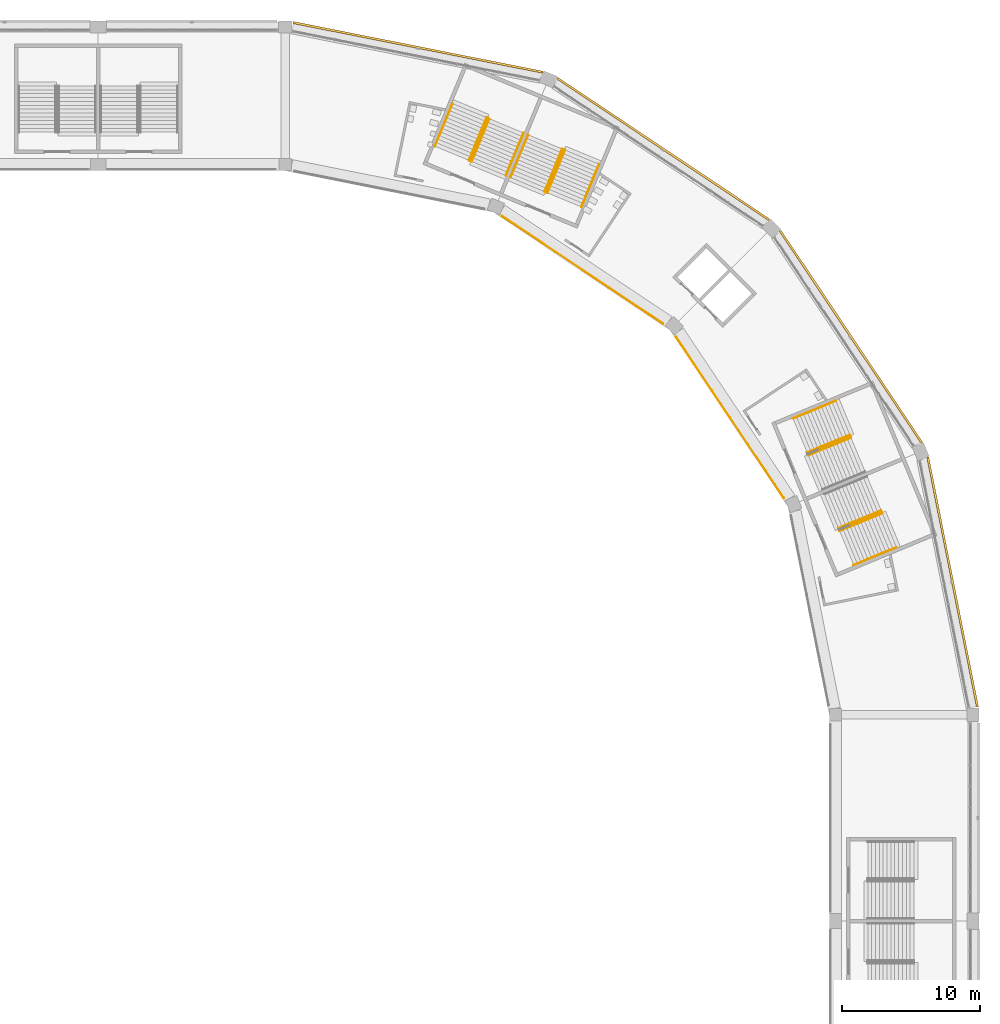
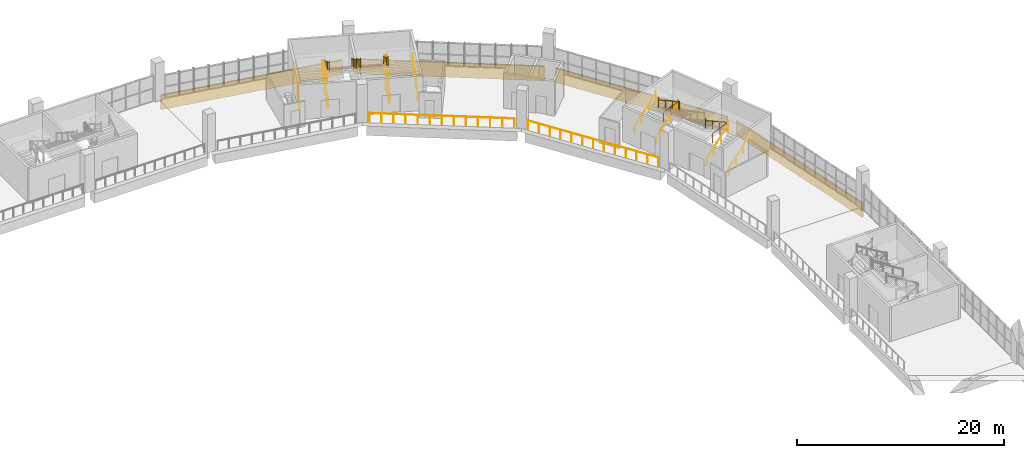
# One storey, part 171 of 177: 22 railings, 4 coverings.
"""IFC4 building model written with IfcOpenShell, lengths in metres."""

from ifc_helpers import new_model, si_unit, direction, frame, origin, origin_2d, place, context, subcontext, project, spatial, polyline, circle, outline, extrude, material, layer, layer_set, type_object, element, save


model = new_model("IFC4")

# Units and contexts
model_context = context("Model", 3, precision=1e-05, world=origin(), true_north=direction((0.0, 1.0)))
body_context = subcontext(model_context, "Body", "Model", "MODEL_VIEW")
ifc_project = project(units=[si_unit("LENGTHUNIT", "METRE"), si_unit("AREAUNIT", "SQUARE_METRE"), si_unit("VOLUMEUNIT", "CUBIC_METRE"), si_unit("PLANEANGLEUNIT", "RADIAN"), si_unit("MASSUNIT", "GRAM", prefix="KILO")], contexts=[model_context])

# Site, building, storey
site_placement = place(None, origin())
site = spatial("IfcSite", under=ifc_project, at=site_placement, CompositionType="ELEMENT")
building_placement = place(site_placement, origin())
building = spatial("IfcBuilding", under=site, at=building_placement, Name="Ogive Plaza Stadium", CompositionType="ELEMENT")
storey_placement = place(building_placement, frame((0.0, 0.0, 18.0)))
storey = spatial("IfcBuildingStorey", under=building, at=storey_placement, Name="L04", CompositionType="ELEMENT", Elevation=18.0)

# Railings
ifc_material_1 = material(Name="Steel ASTM A572 Grade 50", Category="steel")
railing_type_1 = type_object("IfcRailingType", Name="Guard 1100", PredefinedType="GUARDRAIL", material=ifc_material_1)
for number, where, name in (
    (1, (52.955078125, 90.48779296875, 0.0), "Stair well guard ST38A L04"),
    (2, (53.322509765625, 91.374755859375, 2.25), "Stair well guard ST38A L04"),
    (3, (47.4580078125, 92.764892578125, 0.0), "Stair well guard ST38B L04"),
    (4, (47.825439453125, 93.651611328125, 2.25), "Stair well guard ST38B L04"),
):
    element("IfcRailing", number, at=place(storey_placement, frame(where)), inside=storey, type_object=railing_type_1, Name=name, PredefinedType="GUARDRAIL", context=body_context, shape_type="SweptSolid", body=[
        extrude(circle(Radius=0.02392578125, at=origin_2d()), frame((0.0, 0.0, 1.076171875), z_axis=(0.382693194178, 0.923875488976, 0.0), x_axis=(-0.923875488976, 0.382693194178, 0.0)), (0.0, 0.0, 1.0), 2.39990234375),
        extrude(circle(Radius=0.02099609375, at=origin_2d()), origin(), (0.0, 0.0, 1.0), 1.052001953125),
        extrude(circle(Radius=0.02099609375, at=origin_2d()), frame((0.459228515625, 1.108642578125, 0.0)), (0.0, 0.0, 1.0), 1.052001953125),
        extrude(circle(Radius=0.02099609375, at=origin_2d()), frame((0.91845703125, 2.21728515625, 0.0)), (0.0, 0.0, 1.0), 1.052001953125),
    ])
for number, where, name in (
    (5, (75.151611328125, 66.325439453125, 2.25), "Stair well guard ST40A L04"),
    (6, (72.874755859375, 71.822509765625, 2.25), "Stair well guard ST40B L04"),
):
    element("IfcRailing", number, at=place(storey_placement, frame(where)), inside=storey, type_object=railing_type_1, Name=name, PredefinedType="GUARDRAIL", context=body_context, shape_type="SweptSolid", body=[
        extrude(circle(Radius=0.02392578125, at=origin_2d()), frame((0.0, 0.0, 1.076171875), z_axis=(0.923875488976, 0.382693194178, 0.0), x_axis=(-0.382693194178, 0.923875488976, 0.0)), (0.0, 0.0, 1.0), 2.39990234375),
        extrude(circle(Radius=0.02099609375, at=origin_2d()), origin(), (0.0, 0.0, 1.0), 1.052001953125),
        extrude(circle(Radius=0.02099609375, at=origin_2d()), frame((1.108642578125, 0.459228515625, 0.0)), (0.0, 0.0, 1.0), 1.052001953125),
        extrude(circle(Radius=0.02099609375, at=origin_2d()), frame((2.21728515625, 0.91845703125, 0.0)), (0.0, 0.0, 1.0), 1.052001953125),
    ])
railing_1_placement = place(storey_placement, frame((49.75537109375, 88.742919921875, 0.0)))
element("IfcRailing", 7, at=railing_1_placement, inside=storey, type_object=railing_type_1, Name="Guard L04 B38", PredefinedType="GUARDRAIL", context=body_context, shape_type="SweptSolid", body=[
    extrude(circle(Radius=0.02392578125, at=origin_2d()), frame((0.0, 0.0, 1.076171875), z_axis=(0.83147593222, -0.555560774478, 0.0), x_axis=(0.555560774478, 0.83147593222, 0.0)), (0.0, 0.0, 1.0), 14.07080078125),
    extrude(circle(Radius=0.02099609375, at=origin_2d()), origin(), (0.0, 0.0, 1.0), 1.052001953125),
    extrude(circle(Radius=0.02099609375, at=origin_2d()), frame((0.974853515625, -0.6513671875, 0.0)), (0.0, 0.0, 1.0), 1.052001953125),
    extrude(circle(Radius=0.02099609375, at=origin_2d()), frame((1.949951171875, -1.302734375, 0.0)), (0.0, 0.0, 1.0), 1.052001953125),
    extrude(circle(Radius=0.02099609375, at=origin_2d()), frame((2.9248046875, -1.954345703125, 0.0)), (0.0, 0.0, 1.0), 1.052001953125),
    extrude(circle(Radius=0.02099609375, at=origin_2d()), frame((3.89990234375, -2.605712890625, 0.0)), (0.0, 0.0, 1.0), 1.052001953125),
    extrude(circle(Radius=0.02099609375, at=origin_2d()), frame((4.874755859375, -3.257080078125, 0.0)), (0.0, 0.0, 1.0), 1.052001953125),
    extrude(circle(Radius=0.02099609375, at=origin_2d()), frame((5.849609375, -3.90869140625, 0.0)), (0.0, 0.0, 1.0), 1.052001953125),
    extrude(circle(Radius=0.02099609375, at=origin_2d()), frame((6.82470703125, -4.56005859375, 0.0)), (0.0, 0.0, 1.0), 1.052001953125),
    extrude(circle(Radius=0.02099609375, at=origin_2d()), frame((7.799560546875, -5.21142578125, 0.0)), (0.0, 0.0, 1.0), 1.052001953125),
    extrude(circle(Radius=0.02099609375, at=origin_2d()), frame((8.774658203125, -5.86279296875, 0.0)), (0.0, 0.0, 1.0), 1.052001953125),
    extrude(circle(Radius=0.02099609375, at=origin_2d()), frame((9.74951171875, -6.51416015625, 0.0)), (0.0, 0.0, 1.0), 1.052001953125),
    extrude(circle(Radius=0.02099609375, at=origin_2d()), frame((10.724609375, -7.165771484375, 0.0)), (0.0, 0.0, 1.0), 1.052001953125),
    extrude(circle(Radius=0.02099609375, at=origin_2d()), frame((11.699462890625, -7.817138671875, 0.0)), (0.0, 0.0, 1.0), 1.052001953125),
])
railing_2_placement = place(storey_placement, frame((62.42578125, 79.954833984375, 0.0)))
element("IfcRailing", 8, at=railing_2_placement, inside=storey, type_object=railing_type_1, Name="Guard L04 B39", PredefinedType="GUARDRAIL", context=body_context, shape_type="SweptSolid", body=[
    extrude(circle(Radius=0.02392578125, at=origin_2d()), frame((0.0, 0.0, 1.076171875), z_axis=(0.555560774478, -0.83147593222, 0.0), x_axis=(0.83147593222, 0.555560774478, 0.0)), (0.0, 0.0, 1.0), 14.07080078125),
    extrude(circle(Radius=0.02099609375, at=origin_2d()), origin(), (0.0, 0.0, 1.0), 1.052001953125),
    extrude(circle(Radius=0.02099609375, at=origin_2d()), frame((0.6513671875, -0.974853515625, 0.0)), (0.0, 0.0, 1.0), 1.052001953125),
    extrude(circle(Radius=0.02099609375, at=origin_2d()), frame((1.302734375, -1.949951171875, 0.0)), (0.0, 0.0, 1.0), 1.052001953125),
    extrude(circle(Radius=0.02099609375, at=origin_2d()), frame((1.954345703125, -2.9248046875, 0.0)), (0.0, 0.0, 1.0), 1.052001953125),
    extrude(circle(Radius=0.02099609375, at=origin_2d()), frame((2.605712890625, -3.89990234375, 0.0)), (0.0, 0.0, 1.0), 1.052001953125),
    extrude(circle(Radius=0.02099609375, at=origin_2d()), frame((3.257080078125, -4.874755859375, 0.0)), (0.0, 0.0, 1.0), 1.052001953125),
    extrude(circle(Radius=0.02099609375, at=origin_2d()), frame((3.90869140625, -5.849609375, 0.0)), (0.0, 0.0, 1.0), 1.052001953125),
    extrude(circle(Radius=0.02099609375, at=origin_2d()), frame((4.56005859375, -6.82470703125, 0.0)), (0.0, 0.0, 1.0), 1.052001953125),
    extrude(circle(Radius=0.02099609375, at=origin_2d()), frame((5.21142578125, -7.799560546875, 0.0)), (0.0, 0.0, 1.0), 1.052001953125),
    extrude(circle(Radius=0.02099609375, at=origin_2d()), frame((5.86279296875, -8.774658203125, 0.0)), (0.0, 0.0, 1.0), 1.052001953125),
    extrude(circle(Radius=0.02099609375, at=origin_2d()), frame((6.51416015625, -9.74951171875, 0.0)), (0.0, 0.0, 1.0), 1.052001953125),
    extrude(circle(Radius=0.02099609375, at=origin_2d()), frame((7.165771484375, -10.724609375, 0.0)), (0.0, 0.0, 1.0), 1.052001953125),
    extrude(circle(Radius=0.02099609375, at=origin_2d()), frame((7.817138671875, -11.699462890625, 0.0)), (0.0, 0.0, 1.0), 1.052001953125),
])
ifc_material_2 = material(Name="Steel ASTM A572 Grade 50", Category="steel")
railing_type_2 = type_object("IfcRailingType", Name="Handrail 900", PredefinedType="HANDRAIL", material=ifc_material_2)
railing_3_placement = place(storey_placement, frame((55.53271484375, 89.420166015625, 0.173095703125)))
element("IfcRailing", 9, at=railing_3_placement, inside=storey, type_object=railing_type_2, Name="Handrail ST38A L04", PredefinedType="HANDRAIL", context=body_context, shape_type="SweptSolid", body=[
    extrude(circle(Radius=0.02392578125, at=origin_2d()), frame((0.0, 0.0, 0.8759765625), z_axis=(0.32553207776, 0.785862990074, 0.525783441334), x_axis=(-0.923872479269, 0.382700459954, 0.0)), (0.0, 0.0, 1.0), 3.9501953125),
    extrude(circle(Radius=0.02099609375, at=origin_2d()), origin(), (0.0, 0.0, 1.0), 0.851806640625),
    extrude(circle(Radius=0.02099609375, at=origin_2d()), frame((0.4287109375, 1.03466796875, 0.6923828125)), (0.0, 0.0, 1.0), 0.851806640625),
    extrude(circle(Radius=0.02099609375, at=origin_2d()), frame((0.857177734375, 2.069580078125, 1.384521484375)), (0.0, 0.0, 1.0), 0.851806640625),
    extrude(circle(Radius=0.02099609375, at=origin_2d()), frame((1.285888671875, 3.104248046875, 2.076904296875)), (0.0, 0.0, 1.0), 1.10009765625),
])
railing_4_placement = place(storey_placement, frame((53.056884765625, 90.44580078125, 0.173095703125)))
element("IfcRailing", 10, at=railing_4_placement, inside=storey, type_object=railing_type_2, Name="Handrail ST38A L04", PredefinedType="HANDRAIL", context=body_context, shape_type="SweptSolid", body=[
    extrude(circle(Radius=0.02392578125, at=origin_2d()), frame((0.0, 0.0, 0.8759765625), z_axis=(0.325476819766, 0.785878800478, 0.525794019321), x_axis=(-0.923898168054, 0.382638439086, 0.0)), (0.0, 0.0, 1.0), 3.949951171875),
    extrude(circle(Radius=0.02099609375, at=origin_2d()), origin(), (0.0, 0.0, 1.0), 0.851806640625),
    extrude(circle(Radius=0.02099609375, at=origin_2d()), frame((0.428466796875, 1.03466796875, 0.6923828125)), (0.0, 0.0, 1.0), 0.851806640625),
    extrude(circle(Radius=0.02099609375, at=origin_2d()), frame((0.857177734375, 2.069580078125, 1.384521484375)), (0.0, 0.0, 1.0), 0.851806640625),
    extrude(circle(Radius=0.02099609375, at=origin_2d()), frame((1.28564453125, 3.104248046875, 2.076904296875)), (0.0, 0.0, 1.0), 1.10009765625),
])
railing_5_placement = place(storey_placement, frame((54.139404296875, 93.634033203125, 2.423095703125)))
element("IfcRailing", 11, at=railing_5_placement, inside=storey, type_object=railing_type_2, Name="Handrail ST38A L04", PredefinedType="HANDRAIL", context=body_context, shape_type="SweptSolid", body=[
    extrude(circle(Radius=0.02392578125, at=origin_2d()), frame((0.0, 0.0, 0.8759765625), z_axis=(-0.325547889718, -0.78583935255, 0.525808980033), x_axis=(0.923861836433, -0.382726151683, 0.0)), (0.0, 0.0, 1.0), 3.949951171875),
    extrude(circle(Radius=0.02099609375, at=origin_2d()), origin(), (0.0, 0.0, 1.0), 0.851806640625),
    extrude(circle(Radius=0.02099609375, at=origin_2d()), frame((-0.4287109375, -1.03466796875, 0.6923828125)), (0.0, 0.0, 1.0), 0.851806640625),
    extrude(circle(Radius=0.02099609375, at=origin_2d()), frame((-0.857177734375, -2.0693359375, 1.384521484375)), (0.0, 0.0, 1.0), 0.851806640625),
    extrude(circle(Radius=0.02099609375, at=origin_2d()), frame((-1.285888671875, -3.10400390625, 2.076904296875)), (0.0, 0.0, 1.0), 1.10009765625),
])
railing_6_placement = place(storey_placement, frame((51.663330078125, 94.65966796875, 2.423095703125)))
element("IfcRailing", 12, at=railing_6_placement, inside=storey, type_object=railing_type_2, Name="Handrail ST38A L04", PredefinedType="HANDRAIL", context=body_context, shape_type="SweptSolid", body=[
    extrude(circle(Radius=0.02392578125, at=origin_2d()), frame((0.0, 0.0, 0.8759765625), z_axis=(-0.32553207776, -0.785862990074, 0.525783441334), x_axis=(0.923872479269, -0.382700459954, 0.0)), (0.0, 0.0, 1.0), 3.9501953125),
    extrude(circle(Radius=0.02099609375, at=origin_2d()), origin(), (0.0, 0.0, 1.0), 0.851806640625),
    extrude(circle(Radius=0.02099609375, at=origin_2d()), frame((-0.4287109375, -1.03466796875, 0.6923828125)), (0.0, 0.0, 1.0), 0.851806640625),
    extrude(circle(Radius=0.02099609375, at=origin_2d()), frame((-0.857177734375, -2.069580078125, 1.384521484375)), (0.0, 0.0, 1.0), 0.851806640625),
    extrude(circle(Radius=0.02099609375, at=origin_2d()), frame((-1.285888671875, -3.104248046875, 2.076904296875)), (0.0, 0.0, 1.0), 1.10009765625),
])
for number, where, name in (
    (13, (47.3564453125, 92.806884765625, 0.173095703125), "Handrail ST38B L04"),
    (14, (44.88037109375, 93.83251953125, 0.173095703125), "Handrail ST38B L04"),
):
    element("IfcRailing", number, at=place(storey_placement, frame(where)), inside=storey, type_object=railing_type_2, Name=name, PredefinedType="HANDRAIL", context=body_context, shape_type="SweptSolid", body=[
        extrude(circle(Radius=0.02392578125, at=origin_2d()), frame((0.0, 0.0, 0.8759765625), z_axis=(0.32553207776, 0.785862990074, 0.525783441334), x_axis=(-0.923872479269, 0.382700459954, 0.0)), (0.0, 0.0, 1.0), 3.9501953125),
        extrude(circle(Radius=0.02099609375, at=origin_2d()), origin(), (0.0, 0.0, 1.0), 0.851806640625),
        extrude(circle(Radius=0.02099609375, at=origin_2d()), frame((0.4287109375, 1.03466796875, 0.6923828125)), (0.0, 0.0, 1.0), 0.851806640625),
        extrude(circle(Radius=0.02099609375, at=origin_2d()), frame((0.857177734375, 2.069580078125, 1.384521484375)), (0.0, 0.0, 1.0), 0.851806640625),
        extrude(circle(Radius=0.02099609375, at=origin_2d()), frame((1.285888671875, 3.104248046875, 2.076904296875)), (0.0, 0.0, 1.0), 1.10009765625),
    ])
railing_7_placement = place(storey_placement, frame((51.321533203125, 94.80126953125, 2.423095703125)))
element("IfcRailing", 15, at=railing_7_placement, inside=storey, type_object=railing_type_2, Name="Handrail ST38B L04", PredefinedType="HANDRAIL", context=body_context, shape_type="SweptSolid", body=[
    extrude(circle(Radius=0.02392578125, at=origin_2d()), frame((0.0, 0.0, 0.8759765625), z_axis=(-0.32553207776, -0.785862990074, 0.525783441334), x_axis=(0.923872479269, -0.382700459954, 0.0)), (0.0, 0.0, 1.0), 3.9501953125),
    extrude(circle(Radius=0.02099609375, at=origin_2d()), origin(), (0.0, 0.0, 1.0), 0.851806640625),
    extrude(circle(Radius=0.02099609375, at=origin_2d()), frame((-0.4287109375, -1.03466796875, 0.6923828125)), (0.0, 0.0, 1.0), 0.851806640625),
    extrude(circle(Radius=0.02099609375, at=origin_2d()), frame((-0.857177734375, -2.069580078125, 1.384521484375)), (0.0, 0.0, 1.0), 0.851806640625),
    extrude(circle(Radius=0.02099609375, at=origin_2d()), frame((-1.285888671875, -3.104248046875, 2.076904296875)), (0.0, 0.0, 1.0), 1.10009765625),
])
railing_8_placement = place(storey_placement, frame((48.845458984375, 95.826904296875, 2.423095703125)))
element("IfcRailing", 16, at=railing_8_placement, inside=storey, type_object=railing_type_2, Name="Handrail ST38B L04", PredefinedType="HANDRAIL", context=body_context, shape_type="SweptSolid", body=[
    extrude(circle(Radius=0.02392578125, at=origin_2d()), frame((0.0, 0.0, 0.8759765625), z_axis=(-0.325476819766, -0.785878800478, 0.525794019321), x_axis=(0.923898168054, -0.382638439086, 0.0)), (0.0, 0.0, 1.0), 3.949951171875),
    extrude(circle(Radius=0.02099609375, at=origin_2d()), origin(), (0.0, 0.0, 1.0), 0.851806640625),
    extrude(circle(Radius=0.02099609375, at=origin_2d()), frame((-0.428466796875, -1.03466796875, 0.6923828125)), (0.0, 0.0, 1.0), 0.851806640625),
    extrude(circle(Radius=0.02099609375, at=origin_2d()), frame((-0.857177734375, -2.069580078125, 1.384521484375)), (0.0, 0.0, 1.0), 0.851806640625),
    extrude(circle(Radius=0.02099609375, at=origin_2d()), frame((-1.28564453125, -3.104248046875, 2.076904296875)), (0.0, 0.0, 1.0), 1.10009765625),
])
for number, where, name in (
    (17, (75.33251953125, 63.38037109375, 0.173095703125), "Handrail ST40A L04"),
    (18, (74.306884765625, 65.8564453125, 0.173095703125), "Handrail ST40A L04"),
):
    element("IfcRailing", number, at=place(storey_placement, frame(where)), inside=storey, type_object=railing_type_2, Name=name, PredefinedType="HANDRAIL", context=body_context, shape_type="SweptSolid", body=[
        extrude(circle(Radius=0.02392578125, at=origin_2d()), frame((0.0, 0.0, 0.8759765625), z_axis=(0.785862990074, 0.32553207776, 0.525783441334), x_axis=(-0.382700459954, 0.923872479269, 0.0)), (0.0, 0.0, 1.0), 3.9501953125),
        extrude(circle(Radius=0.02099609375, at=origin_2d()), origin(), (0.0, 0.0, 1.0), 0.851806640625),
        extrude(circle(Radius=0.02099609375, at=origin_2d()), frame((1.03466796875, 0.4287109375, 0.6923828125)), (0.0, 0.0, 1.0), 0.851806640625),
        extrude(circle(Radius=0.02099609375, at=origin_2d()), frame((2.069580078125, 0.857177734375, 1.384521484375)), (0.0, 0.0, 1.0), 0.851806640625),
        extrude(circle(Radius=0.02099609375, at=origin_2d()), frame((3.104248046875, 1.285888671875, 2.076904296875)), (0.0, 0.0, 1.0), 1.10009765625),
    ])
railing_9_placement = place(storey_placement, frame((77.326904296875, 67.345458984375, 2.423095703125)))
element("IfcRailing", 19, at=railing_9_placement, inside=storey, type_object=railing_type_2, Name="Handrail ST40A L04", PredefinedType="HANDRAIL", context=body_context, shape_type="SweptSolid", body=[
    extrude(circle(Radius=0.02392578125, at=origin_2d()), frame((0.0, 0.0, 0.8759765625), z_axis=(-0.785878800478, -0.325476819766, 0.525794019321), x_axis=(0.382638439086, -0.923898168054, 0.0)), (0.0, 0.0, 1.0), 3.949951171875),
    extrude(circle(Radius=0.02099609375, at=origin_2d()), origin(), (0.0, 0.0, 1.0), 0.851806640625),
    extrude(circle(Radius=0.02099609375, at=origin_2d()), frame((-1.03466796875, -0.428466796875, 0.6923828125)), (0.0, 0.0, 1.0), 0.851806640625),
    extrude(circle(Radius=0.02099609375, at=origin_2d()), frame((-2.069580078125, -0.857177734375, 1.384521484375)), (0.0, 0.0, 1.0), 0.851806640625),
    extrude(circle(Radius=0.02099609375, at=origin_2d()), frame((-3.104248046875, -1.28564453125, 2.076904296875)), (0.0, 0.0, 1.0), 1.10009765625),
])
railing_10_placement = place(storey_placement, frame((71.94580078125, 71.556884765625, 0.173095703125)))
element("IfcRailing", 20, at=railing_10_placement, inside=storey, type_object=railing_type_2, Name="Handrail ST40B L04", PredefinedType="HANDRAIL", context=body_context, shape_type="SweptSolid", body=[
    extrude(circle(Radius=0.02392578125, at=origin_2d()), frame((0.0, 0.0, 0.8759765625), z_axis=(0.785878800478, 0.325476819766, 0.525794019321), x_axis=(-0.382638439086, 0.923898168054, 0.0)), (0.0, 0.0, 1.0), 3.949951171875),
    extrude(circle(Radius=0.02099609375, at=origin_2d()), origin(), (0.0, 0.0, 1.0), 0.851806640625),
    extrude(circle(Radius=0.02099609375, at=origin_2d()), frame((1.03466796875, 0.428466796875, 0.6923828125)), (0.0, 0.0, 1.0), 0.851806640625),
    extrude(circle(Radius=0.02099609375, at=origin_2d()), frame((2.069580078125, 0.857177734375, 1.384521484375)), (0.0, 0.0, 1.0), 0.851806640625),
    extrude(circle(Radius=0.02099609375, at=origin_2d()), frame((3.104248046875, 1.28564453125, 2.076904296875)), (0.0, 0.0, 1.0), 1.10009765625),
])
railing_11_placement = place(storey_placement, frame((70.920166015625, 74.03271484375, 0.173095703125)))
element("IfcRailing", 21, at=railing_11_placement, inside=storey, type_object=railing_type_2, Name="Handrail ST40B L04", PredefinedType="HANDRAIL", context=body_context, shape_type="SweptSolid", body=[
    extrude(circle(Radius=0.02392578125, at=origin_2d()), frame((0.0, 0.0, 0.8759765625), z_axis=(0.785862990074, 0.32553207776, 0.525783441334), x_axis=(-0.382700459954, 0.923872479269, 0.0)), (0.0, 0.0, 1.0), 3.9501953125),
    extrude(circle(Radius=0.02099609375, at=origin_2d()), origin(), (0.0, 0.0, 1.0), 0.851806640625),
    extrude(circle(Radius=0.02099609375, at=origin_2d()), frame((1.03466796875, 0.4287109375, 0.6923828125)), (0.0, 0.0, 1.0), 0.851806640625),
    extrude(circle(Radius=0.02099609375, at=origin_2d()), frame((2.069580078125, 0.857177734375, 1.384521484375)), (0.0, 0.0, 1.0), 0.851806640625),
    extrude(circle(Radius=0.02099609375, at=origin_2d()), frame((3.104248046875, 1.285888671875, 2.076904296875)), (0.0, 0.0, 1.0), 1.10009765625),
])
railing_12_placement = place(storey_placement, frame((75.134033203125, 72.639404296875, 2.423095703125)))
element("IfcRailing", 22, at=railing_12_placement, inside=storey, type_object=railing_type_2, Name="Handrail ST40B L04", PredefinedType="HANDRAIL", context=body_context, shape_type="SweptSolid", body=[
    extrude(circle(Radius=0.02392578125, at=origin_2d()), frame((0.0, 0.0, 0.8759765625), z_axis=(-0.78583935255, -0.325547889718, 0.525808980033), x_axis=(0.382726151683, -0.923861836433, 0.0)), (0.0, 0.0, 1.0), 3.949951171875),
    extrude(circle(Radius=0.02099609375, at=origin_2d()), origin(), (0.0, 0.0, 1.0), 0.851806640625),
    extrude(circle(Radius=0.02099609375, at=origin_2d()), frame((-1.03466796875, -0.4287109375, 0.6923828125)), (0.0, 0.0, 1.0), 0.851806640625),
    extrude(circle(Radius=0.02099609375, at=origin_2d()), frame((-2.0693359375, -0.857177734375, 1.384521484375)), (0.0, 0.0, 1.0), 0.851806640625),
    extrude(circle(Radius=0.02099609375, at=origin_2d()), frame((-3.10400390625, -1.285888671875, 2.076904296875)), (0.0, 0.0, 1.0), 1.10009765625),
])

# Coverings
ifc_material_3 = material(Name="Cast stone (reconstituted limestone)", Category="masonry")
ifc_layer = layer(ifc_material_3, 0.159912109375)
ifc_layer_set = layer_set([ifc_layer], Name="Precast spandrel cladding 160")
covering_type = type_object("IfcCoveringType", Name="Precast spandrel cladding 160", PredefinedType="CLADDING", material=ifc_layer_set)
covering_1_placement = place(storey_placement, frame((0.0, 0.0, -1.7099609375)))
element("IfcCovering", 23, at=covering_1_placement, inside=storey, type_object=covering_type, Name="SPANDREL CLADDING B37 L04", PredefinedType="CLADDING", context=body_context, shape_type="SweptSolid", body=[
    extrude(outline(polyline([(34.550048828125, 102.74755859375), (52.720703125, 99.133056640625), (52.751953125, 99.2900390625), (34.581298828125, 102.904296875), (34.550048828125, 102.74755859375)])), origin(), (0.0, 0.0, 1.0), 1.7099609375),
])
covering_2_placement = place(storey_placement, frame((0.0, 0.0, -1.7099609375)))
element("IfcCovering", 24, at=covering_2_placement, inside=storey, type_object=covering_type, Name="SPANDREL CLADDING B38 L04", PredefinedType="CLADDING", context=body_context, shape_type="SweptSolid", body=[
    extrude(outline(polyline([(53.737060546875, 98.712158203125), (69.141357421875, 88.419189453125), (69.230224609375, 88.55224609375), (53.825927734375, 98.84521484375), (53.737060546875, 98.712158203125)])), origin(), (0.0, 0.0, 1.0), 1.7099609375),
])
covering_3_placement = place(storey_placement, frame((0.0, 0.0, -1.7099609375)))
element("IfcCovering", 25, at=covering_3_placement, inside=storey, type_object=covering_type, Name="SPANDREL CLADDING B39 L04", PredefinedType="CLADDING", context=body_context, shape_type="SweptSolid", body=[
    extrude(outline(polyline([(69.919189453125, 87.641357421875), (80.212158203125, 72.237060546875), (80.34521484375, 72.325927734375), (70.05224609375, 87.730224609375), (69.919189453125, 87.641357421875)])), origin(), (0.0, 0.0, 1.0), 1.7099609375),
])
covering_4_placement = place(storey_placement, frame((0.0, 0.0, -1.7099609375)))
element("IfcCovering", 26, at=covering_4_placement, inside=storey, type_object=covering_type, Name="SPANDREL CLADDING B40 L04", PredefinedType="CLADDING", context=body_context, shape_type="SweptSolid", body=[
    extrude(outline(polyline([(80.633056640625, 71.220703125), (84.24755859375, 53.050048828125), (84.404296875, 53.081298828125), (80.7900390625, 71.251953125), (80.633056640625, 71.220703125)])), origin(), (0.0, 0.0, 1.0), 1.7099609375),
])

save(model, "model.ifc")
